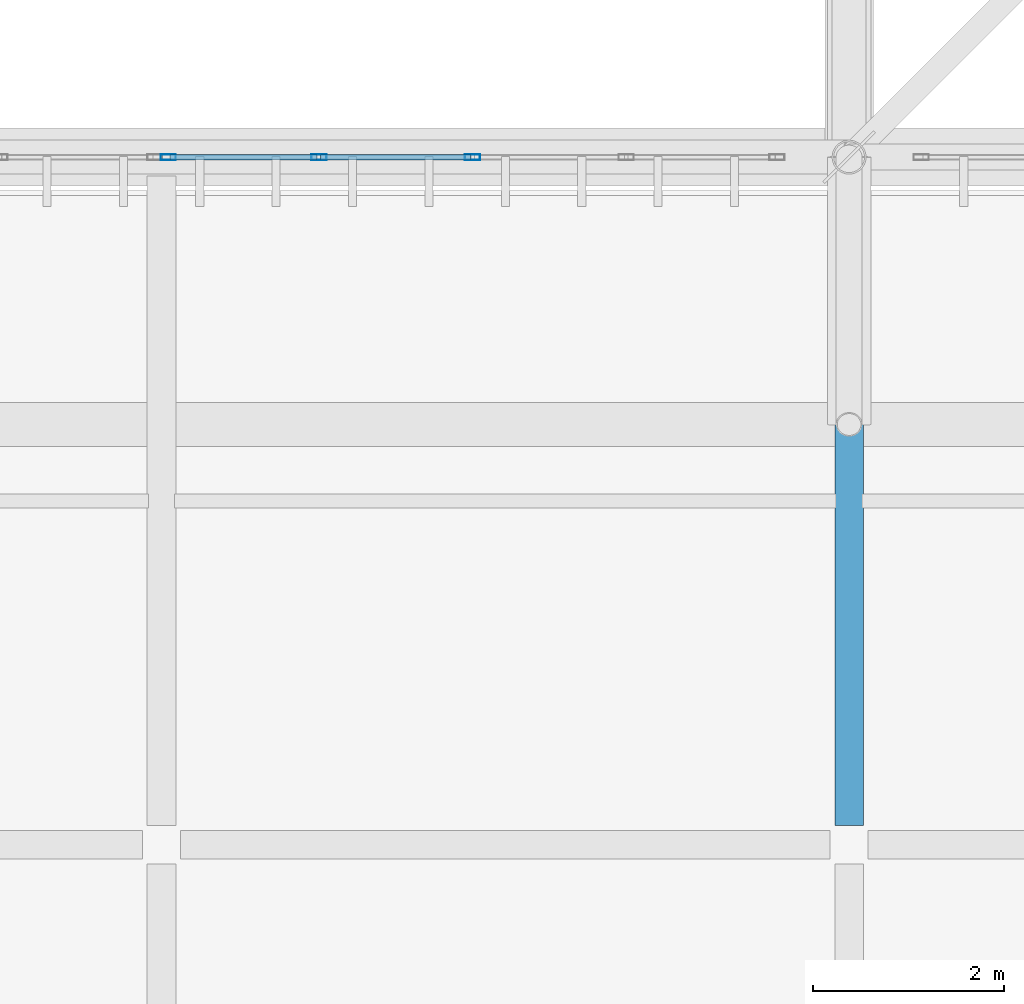
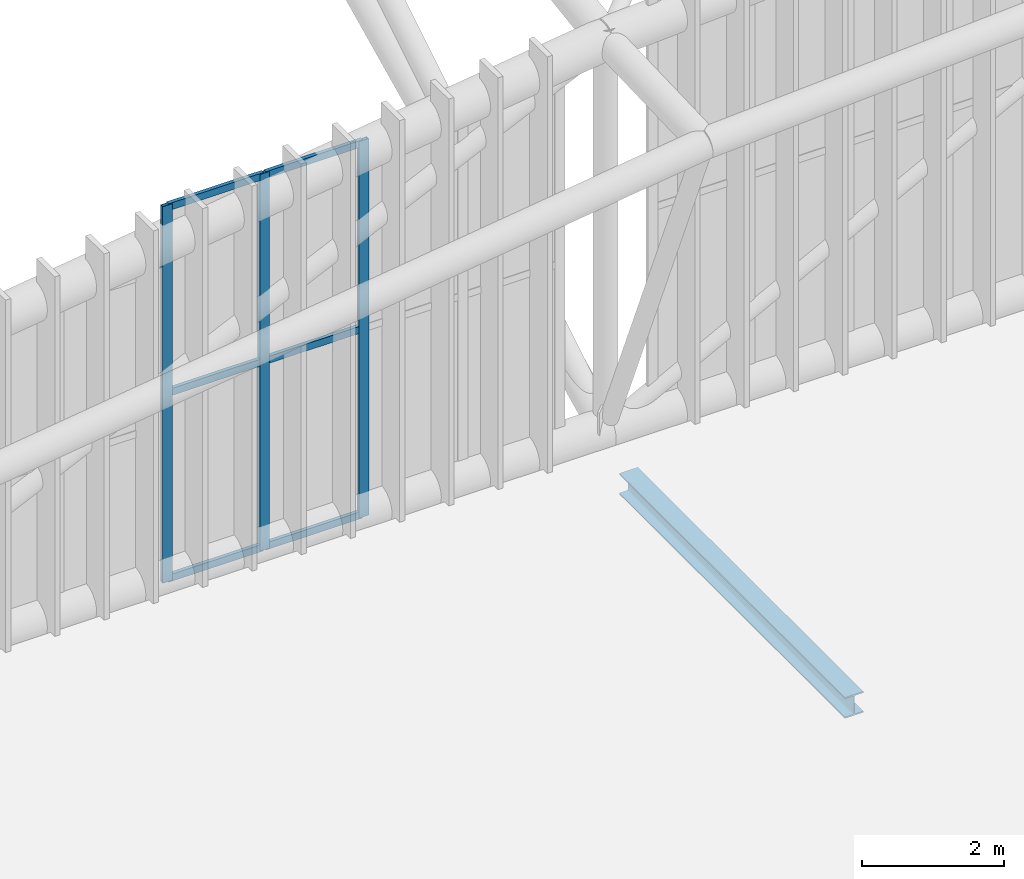
# One storey, part 21 of 397: 9 members, 1 beam, 1 element without a shape of its own.
"""IFC4 building model written with IfcOpenShell, lengths in metres."""

from ifc_helpers import new_model, si_unit, direction, frame, origin, origin_2d, place, context, subcontext, project, spatial, hollow_rectangle, i_section, extrude, material, material_profile, profile_set, type_object, element, aggregate, save


model = new_model("IFC4")

# Units and contexts
model_context = context("Model", 3, precision=1e-05, world=origin(), true_north=direction((0.0, 1.0)))
body_context = subcontext(model_context, "Body", "Model", "MODEL_VIEW")
ifc_project = project(units=[si_unit("LENGTHUNIT", "METRE"), si_unit("AREAUNIT", "SQUARE_METRE"), si_unit("VOLUMEUNIT", "CUBIC_METRE"), si_unit("PLANEANGLEUNIT", "RADIAN"), si_unit("MASSUNIT", "GRAM", prefix="KILO")], contexts=[model_context])

# Site, building, storey
site_placement = place(None, origin())
site = spatial("IfcSite", under=ifc_project, at=site_placement, CompositionType="ELEMENT")
building_placement = place(site_placement, origin())
building = spatial("IfcBuilding", under=site, at=building_placement, Name="Qandorah Velis Arena", CompositionType="ELEMENT")
storey_placement = place(building_placement, frame((0.0, 0.0, 27.5)))
storey = spatial("IfcBuildingStorey", under=building, at=storey_placement, Name="RF", CompositionType="ELEMENT", Elevation=27.5)

# Curtain wall, members
ifc_material_1 = material(Name="Solar-control low-E double glazing", Category="glass")
curtain_wall_type = type_object("IfcCurtainWallType", Name="ARC-CW-SYS19", PredefinedType="USERDEFINED", material=ifc_material_1)
curtain_wall_placement = place(storey_placement, origin())
curtain_wall = element("IfcCurtainWall", 1, at=curtain_wall_placement, inside=storey, type_object=curtain_wall_type, Name="Unitised curtain wall CROWN-3-02S2", ObjectType="UNITISED CURTAIN WALL", PredefinedType="USERDEFINED")
ifc_material_2 = material(Name="Champagne-bronze anodized aluminium 6063-T6", Category="aluminium")
ifc_material_profile_1 = material_profile(ifc_material_2, hollow_rectangle(XDim=0.06005859375, YDim=0.159912109375, WallThickness=0.00341796875, at=origin_2d()), Name="ALU MULLION 60x160")
ifc_profile_set_1 = profile_set([ifc_material_profile_1], Name="Champagne-bronze anodized aluminium 6063-T6")
member_type_1 = type_object("IfcMemberType", Name="ARC-CWM-160", PredefinedType="MULLION", material=ifc_profile_set_1)
member_1_placement = place(storey_placement, frame((36.070068359375, 14.39990234375, -0.014892578125), z_axis=(0.0, 0.0, 1.0), x_axis=(0.0, 1.0, 0.0)))
member_1 = element("IfcMember", 2, at=member_1_placement, type_object=member_type_1, Name="CW19 mullion 1", PredefinedType="MULLION", context=body_context, shape_type="SweptSolid", body=[
    extrude(hollow_rectangle(XDim=0.06005859375, YDim=0.159912109375, WallThickness=0.00341796875, at=origin_2d()), origin(), (0.0, 0.0, 1.0), 6.469482421875),
])
member_2_placement = place(storey_placement, frame((37.648681640625, 14.39990234375, -0.014892578125), z_axis=(0.0, 0.0, 1.0), x_axis=(0.0, 1.0, 0.0)))
member_2 = element("IfcMember", 3, at=member_2_placement, type_object=member_type_1, Name="CW19 mullion 2", PredefinedType="MULLION", context=body_context, shape_type="SweptSolid", body=[
    extrude(hollow_rectangle(XDim=0.06005859375, YDim=0.159912109375, WallThickness=0.00341796875, at=origin_2d()), origin(), (0.0, 0.0, 1.0), 6.469482421875),
])
member_3_placement = place(storey_placement, frame((39.257568359375, 14.39990234375, -0.014892578125), z_axis=(0.0, 0.0, 1.0), x_axis=(0.0, 1.0, 0.0)))
member_3 = element("IfcMember", 4, at=member_3_placement, type_object=member_type_1, Name="CW19 mullion 3", PredefinedType="MULLION", context=body_context, shape_type="SweptSolid", body=[
    extrude(hollow_rectangle(XDim=0.06005859375, YDim=0.159912109375, WallThickness=0.00341796875, at=origin_2d()), origin(), (0.0, 0.0, 1.0), 6.469482421875),
])
ifc_material_profile_2 = material_profile(ifc_material_2, hollow_rectangle(XDim=0.06005859375, YDim=0.1201171875, WallThickness=0.0029296875, at=origin_2d()), Name="ALU TRANSOM 60x120")
ifc_profile_set_2 = profile_set([ifc_material_profile_2], Name="Champagne-bronze anodized aluminium 6063-T6")
member_type_2 = type_object("IfcMemberType", Name="ARC-CWT-120", PredefinedType="USERDEFINED", material=ifc_profile_set_2)
member_4_placement = place(storey_placement, frame((36.087890625, 14.39990234375, 0.030029296875), z_axis=(1.0, 0.0, 0.0), x_axis=(0.0, 1.0, 0.0)))
member_4 = element("IfcMember", 5, at=member_4_placement, type_object=member_type_2, Name="CW19 transom 1.1", ObjectType="TRANSOM", PredefinedType="USERDEFINED", context=body_context, shape_type="SweptSolid", body=[
    extrude(hollow_rectangle(XDim=0.06005859375, YDim=0.1201171875, WallThickness=0.0029296875, at=origin_2d()), origin(), (0.0, 0.0, 1.0), 1.542724609375),
])
member_5_placement = place(storey_placement, frame((36.087890625, 14.39990234375, 3.219970703125), z_axis=(1.0, 0.0, 0.0), x_axis=(0.0, 1.0, 0.0)))
member_5 = element("IfcMember", 6, at=member_5_placement, type_object=member_type_2, Name="CW19 transom 1.2", ObjectType="TRANSOM", PredefinedType="USERDEFINED", context=body_context, shape_type="SweptSolid", body=[
    extrude(hollow_rectangle(XDim=0.06005859375, YDim=0.1201171875, WallThickness=0.0029296875, at=origin_2d()), origin(), (0.0, 0.0, 1.0), 1.542724609375),
])
member_6_placement = place(storey_placement, frame((36.087890625, 14.39990234375, 6.40966796875), z_axis=(1.0, 0.0, 0.0), x_axis=(0.0, 1.0, 0.0)))
member_6 = element("IfcMember", 7, at=member_6_placement, type_object=member_type_2, Name="CW19 transom 1.3", ObjectType="TRANSOM", PredefinedType="USERDEFINED", context=body_context, shape_type="SweptSolid", body=[
    extrude(hollow_rectangle(XDim=0.06005859375, YDim=0.1201171875, WallThickness=0.0029296875, at=origin_2d()), origin(), (0.0, 0.0, 1.0), 1.542724609375),
])
member_7_placement = place(storey_placement, frame((37.666748046875, 14.39990234375, 0.030029296875), z_axis=(1.0, 0.0, 0.0), x_axis=(0.0, 1.0, 0.0)))
member_7 = element("IfcMember", 8, at=member_7_placement, type_object=member_type_2, Name="CW19 transom 2.1", ObjectType="TRANSOM", PredefinedType="USERDEFINED", context=body_context, shape_type="SweptSolid", body=[
    extrude(hollow_rectangle(XDim=0.06005859375, YDim=0.1201171875, WallThickness=0.0029296875, at=origin_2d()), origin(), (0.0, 0.0, 1.0), 1.57275390625),
])
member_8_placement = place(storey_placement, frame((37.666748046875, 14.39990234375, 3.219970703125), z_axis=(1.0, 0.0, 0.0), x_axis=(0.0, 1.0, 0.0)))
member_8 = element("IfcMember", 9, at=member_8_placement, type_object=member_type_2, Name="CW19 transom 2.2", ObjectType="TRANSOM", PredefinedType="USERDEFINED", context=body_context, shape_type="SweptSolid", body=[
    extrude(hollow_rectangle(XDim=0.06005859375, YDim=0.1201171875, WallThickness=0.0029296875, at=origin_2d()), origin(), (0.0, 0.0, 1.0), 1.57275390625),
])
member_9_placement = place(storey_placement, frame((37.666748046875, 14.39990234375, 6.40966796875), z_axis=(1.0, 0.0, 0.0), x_axis=(0.0, 1.0, 0.0)))
member_9 = element("IfcMember", 10, at=member_9_placement, type_object=member_type_2, Name="CW19 transom 2.3", ObjectType="TRANSOM", PredefinedType="USERDEFINED", context=body_context, shape_type="SweptSolid", body=[
    extrude(hollow_rectangle(XDim=0.06005859375, YDim=0.1201171875, WallThickness=0.0029296875, at=origin_2d()), origin(), (0.0, 0.0, 1.0), 1.57275390625),
])
aggregate(curtain_wall, [member_1, member_2, member_3, member_4, member_5, member_6, member_7, member_8, member_9])

# Beam
ifc_material_3 = material(Name="Steel S355", Category="steel")
ifc_material_profile_3 = material_profile(ifc_material_3, i_section(OverallWidth=0.300048828125, OverallDepth=0.360107421875, WebThickness=0.012451171875, FlangeThickness=0.0224609375, FilletRadius=0.027099609375, at=origin_2d()), Name="HEB 360")
ifc_profile_set_3 = profile_set([ifc_material_profile_3], Name="Steel S355")
beam_type = type_object("IfcBeamType", Name="STR-BM-HEB360", PredefinedType="BEAM", material=ifc_profile_set_3)
beam_placement = place(storey_placement, frame((43.199951171875, 7.39990234375, -0.39990234375), z_axis=(0.0, 1.0, 0.0), x_axis=(-1.0, 0.0, 0.0)))
element("IfcBeam", 11, at=beam_placement, inside=storey, type_object=beam_type, Name="Primary floor girder RF Y-096", PredefinedType="BEAM", context=body_context, shape_type="SweptSolid", body=[
    extrude(i_section(OverallWidth=0.300048828125, OverallDepth=0.360107421875, WebThickness=0.012451171875, FlangeThickness=0.0224609375, FilletRadius=0.027099609375, at=origin_2d()), origin(), (0.0, 0.0, 1.0), 6.35009765625),
])

save(model, "model.ifc")
